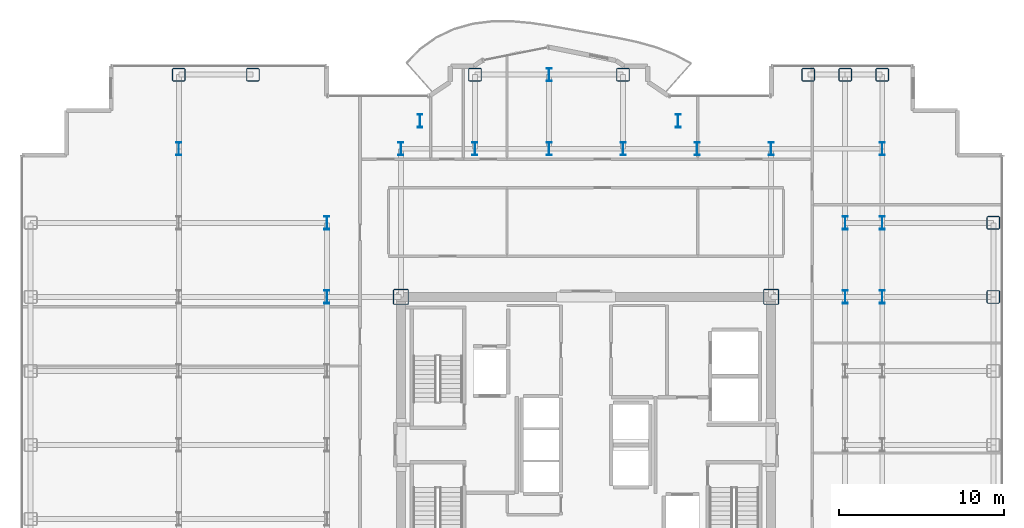
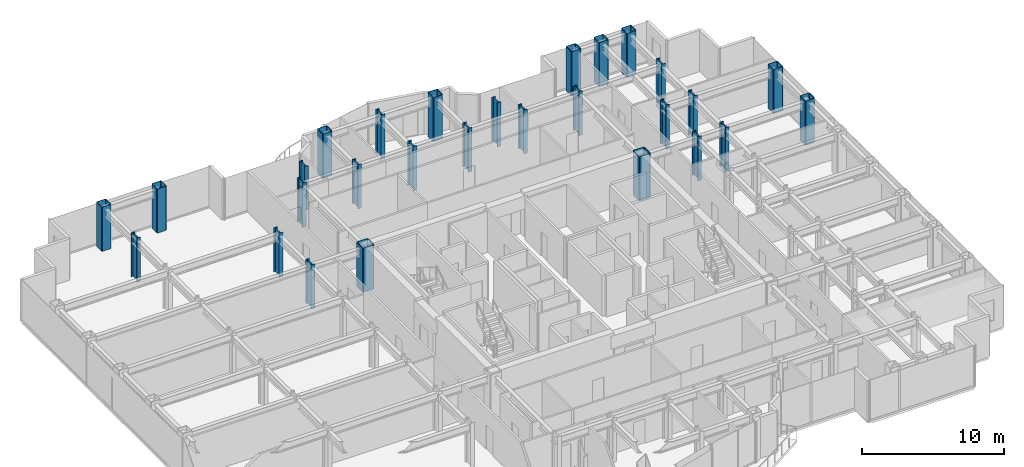
# One storey, part 2 of 23: 28 columns.
"""IFC4 building model written with IfcOpenShell, lengths in metres."""

from ifc_helpers import new_model, si_unit, direction, frame, origin, origin_2d, place, context, subcontext, project, spatial, hollow_rectangle, i_section, extrude, source, transform, mapped, material, material_profile, profile_set, type_object, element, save


model = new_model("IFC4")

# Units and contexts
model_context = context("Model", 3, precision=1e-05, world=origin(), true_north=direction((0.0, 1.0)))
body_context = subcontext(model_context, "Body", "Model", "MODEL_VIEW")
ifc_project = project(units=[si_unit("LENGTHUNIT", "METRE"), si_unit("AREAUNIT", "SQUARE_METRE"), si_unit("VOLUMEUNIT", "CUBIC_METRE"), si_unit("PLANEANGLEUNIT", "RADIAN"), si_unit("MASSUNIT", "GRAM", prefix="KILO")], contexts=[model_context])

# Site, building, storey
site_placement = place(None, origin())
site = spatial("IfcSite", under=ifc_project, at=site_placement, CompositionType="ELEMENT")
building_placement = place(site_placement, origin())
building = spatial("IfcBuilding", under=site, at=building_placement, Name="Nefas-Gora Pilgrimage Tower", CompositionType="ELEMENT")
storey_placement = place(building_placement, frame((0.0, 0.0, 164.0)))
storey = spatial("IfcBuildingStorey", under=building, at=storey_placement, Name="L40", CompositionType="ELEMENT", Elevation=164.0)

# Columns
ifc_material = material(Name="Steel S460", Category="steel")
ifc_material_profile_1 = material_profile(ifc_material, hollow_rectangle(XDim=0.949951171875, YDim=0.949951171875, WallThickness=0.044921875, InnerFilletRadius=0.044921875, OuterFilletRadius=0.090087890625, at=origin_2d()), Name="BOX 950x950x45")
ifc_profile_set_1 = profile_set([ifc_material_profile_1], Name="Steel S460")
column_type_1 = type_object("IfcColumnType", Name="COL-CORE-950", PredefinedType="COLUMN", material=ifc_profile_set_1)
shared_shape_1 = source(origin(), body_context, "Body", "SweptSolid", [
    extrude(hollow_rectangle(XDim=0.949951171875, YDim=0.949951171875, WallThickness=0.044921875, InnerFilletRadius=0.044921875, OuterFilletRadius=0.090087890625, at=origin_2d()), origin(), (0.0, 0.0, 1.0), 3.800048828125),
])
for number, where, z_axis, x_axis, name in (
    (1, (-11.25, 9.0, 0.0), (0.0, 0.0, 1.0), (1.0, 0.0, 0.0), "L40 Tower Column CC-Z1.30"),
    (2, (11.25, 9.0, 0.0), (0.0, 0.0, 1.0), (1.0, 0.0, 0.0), "L40 Tower Column CC-Z1.52"),
):
    element("IfcColumn", number, at=place(storey_placement, frame(where, z_axis=z_axis, x_axis=x_axis)), inside=storey, type_object=column_type_1, Name=name, PredefinedType="COLUMN", context=body_context, shape_type="MappedRepresentation", body=[
        mapped(shared_shape_1, transform((0.0, 0.0, 0.0), x_axis=(1.0, 0.0, 0.0), y_axis=(0.0, 1.0, 0.0), z_axis=(0.0, 0.0, 1.0), scale=1.0)),
    ])
ifc_material_profile_2 = material_profile(ifc_material, hollow_rectangle(XDim=0.800048828125, YDim=0.800048828125, WallThickness=0.0400390625, InnerFilletRadius=0.0400390625, OuterFilletRadius=0.080078125, at=origin_2d()), Name="BOX 800x800x40")
ifc_profile_set_2 = profile_set([ifc_material_profile_2], Name="Steel S460")
column_type_2 = type_object("IfcColumnType", Name="COL-TUBE-800", PredefinedType="COLUMN", material=ifc_profile_set_2)
shared_shape_2 = source(origin(), body_context, "Body", "SweptSolid", [
    extrude(hollow_rectangle(XDim=0.800048828125, YDim=0.800048828125, WallThickness=0.0400390625, InnerFilletRadius=0.0400390625, OuterFilletRadius=0.080078125, at=origin_2d()), origin(), (0.0, 0.0, 1.0), 3.800048828125),
])
for number, where, z_axis, x_axis, name in (
    (3, (-24.75, 22.5, 0.0), (0.0, 0.0, 1.0), (1.0, 0.0, 0.0), "L40 Tower Column C-Z2.18"),
    (4, (-20.25, 22.5, 0.0), (0.0, 0.0, 1.0), (1.0, 0.0, 0.0), "L40 Tower Column C-Z2.20"),
    (5, (-6.75, 22.5, 0.0), (0.0, 0.0, 1.0), (1.0, 0.0, 0.0), "L40 Tower Column C-Z2.37"),
    (6, (2.25, 22.5, 0.0), (0.0, 0.0, 1.0), (1.0, 0.0, 0.0), "L40 Tower Column C-Z2.45"),
    (7, (13.5, 22.5, 0.0), (0.0, 0.0, 1.0), (1.0, 0.0, 0.0), "L40 Tower Column C-Z2.55"),
    (8, (15.75, 22.5, 0.0), (0.0, 0.0, 1.0), (1.0, 0.0, 0.0), "L40 Tower Column C-Z2.64"),
    (9, (18.0, 22.5, 0.0), (0.0, 0.0, 1.0), (1.0, 0.0, 0.0), "L40 Tower Column C-Z2.75"),
    (10, (24.75, 9.0, 0.0), (0.0, 0.0, 1.0), (1.0, 0.0, 0.0), "L40 Tower Column C-Z2.81"),
    (11, (24.75, 13.5, 0.0), (0.0, 0.0, 1.0), (1.0, 0.0, 0.0), "L40 Tower Column C-Z2.82"),
):
    element("IfcColumn", number, at=place(storey_placement, frame(where, z_axis=z_axis, x_axis=x_axis)), inside=storey, type_object=column_type_2, Name=name, PredefinedType="COLUMN", context=body_context, shape_type="MappedRepresentation", body=[
        mapped(shared_shape_2, transform((0.0, 0.0, 0.0), x_axis=(1.0, 0.0, 0.0), y_axis=(0.0, 1.0, 0.0), z_axis=(0.0, 0.0, 1.0), scale=1.0)),
    ])
ifc_material_profile_3 = material_profile(ifc_material, i_section(OverallWidth=0.302978515625, OverallDepth=0.81396484375, WebThickness=0.02099609375, FlangeThickness=0.0400390625, FilletRadius=0.030029296875, at=origin_2d()), Name="HEM 800")
ifc_profile_set_3 = profile_set([ifc_material_profile_3], Name="Steel S460")
column_type_3 = type_object("IfcColumnType", Name="COL-WEB-HEM800", PredefinedType="COLUMN", material=ifc_profile_set_3)
shared_shape_3 = source(origin(), body_context, "Body", "SweptSolid", [
    extrude(i_section(OverallWidth=0.302978515625, OverallDepth=0.81396484375, WebThickness=0.02099609375, FlangeThickness=0.0400390625, FilletRadius=0.030029296875, at=origin_2d()), origin(), (0.0, 0.0, 1.0), 3.800048828125),
])
for number, where, z_axis, x_axis, name in (
    (12, (-24.75, 18.0, 0.0), (0.0, 0.0, 1.0), (1.0, 0.0, 0.0), "L40 Tower Column CW-02.17"),
    (13, (-15.75, 9.0, 0.0), (0.0, 0.0, 1.0), (1.0, 0.0, 0.0), "L40 Tower Column CW-02.26"),
    (14, (-15.75, 13.5, 0.0), (0.0, 0.0, 1.0), (1.0, 0.0, 0.0), "L40 Tower Column CW-02.27"),
    (15, (-11.25, 18.0, 0.0), (0.0, 0.0, 1.0), (1.0, 0.0, 0.0), "L40 Tower Column CW-02.31"),
    (16, (-10.091064453125, 19.696044921875, 0.0), (0.0, 0.0, 1.0), (1.0, 0.0, 0.0), "L40 Tower Column CW-02.33"),
    (17, (-6.75, 18.0, 0.0), (0.0, 0.0, 1.0), (1.0, 0.0, 0.0), "L40 Tower Column CW-02.36"),
    (18, (-2.25, 18.0, 0.0), (0.0, 0.0, 1.0), (1.0, 0.0, 0.0), "L40 Tower Column CW-02.40"),
    (19, (-2.25, 22.5, 0.0), (0.0, 0.0, 1.0), (1.0, 0.0, 0.0), "L40 Tower Column CW-02.41"),
    (20, (2.25, 18.0, 0.0), (0.0, 0.0, 1.0), (1.0, 0.0, 0.0), "L40 Tower Column CW-02.44"),
    (21, (5.591064453125, 19.696044921875, 0.0), (0.0, 0.0, 1.0), (1.0, 0.0, 0.0), "L40 Tower Column CW-02.47"),
    (22, (6.75, 18.0, 0.0), (0.0, 0.0, 1.0), (1.0, 0.0, 0.0), "L40 Tower Column CW-02.49"),
    (23, (11.25, 18.0, 0.0), (0.0, 0.0, 1.0), (1.0, 0.0, 0.0), "L40 Tower Column CW-02.53"),
    (24, (15.75, 9.0, 0.0), (0.0, 0.0, 1.0), (1.0, 0.0, 0.0), "L40 Tower Column CW-02.62"),
    (25, (15.75, 13.5, 0.0), (0.0, 0.0, 1.0), (1.0, 0.0, 0.0), "L40 Tower Column CW-02.63"),
    (26, (18.0, 9.0, 0.0), (0.0, 0.0, 1.0), (1.0, 0.0, 0.0), "L40 Tower Column CW-02.72"),
    (27, (18.0, 13.5, 0.0), (0.0, 0.0, 1.0), (1.0, 0.0, 0.0), "L40 Tower Column CW-02.73"),
    (28, (18.0, 18.0, 0.0), (0.0, 0.0, 1.0), (1.0, 0.0, 0.0), "L40 Tower Column CW-02.74"),
):
    element("IfcColumn", number, at=place(storey_placement, frame(where, z_axis=z_axis, x_axis=x_axis)), inside=storey, type_object=column_type_3, Name=name, PredefinedType="COLUMN", context=body_context, shape_type="MappedRepresentation", body=[
        mapped(shared_shape_3, transform((0.0, 0.0, 0.0), x_axis=(1.0, 0.0, 0.0), y_axis=(0.0, 1.0, 0.0), z_axis=(0.0, 0.0, 1.0), scale=1.0)),
    ])

save(model, "model.ifc")
